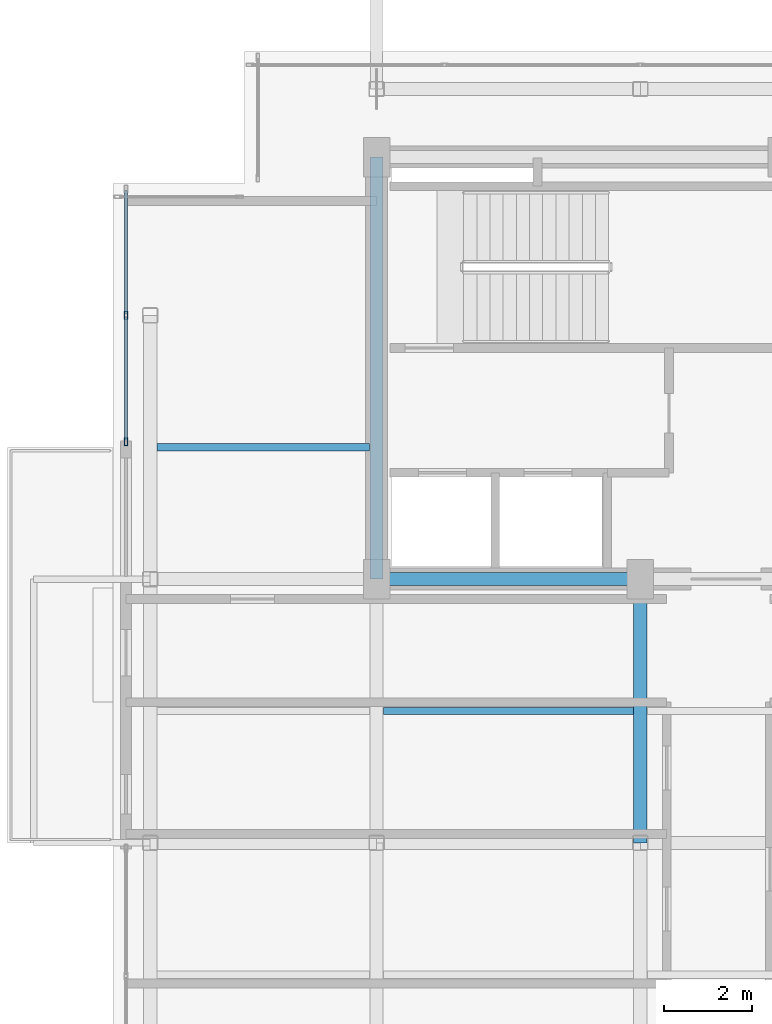
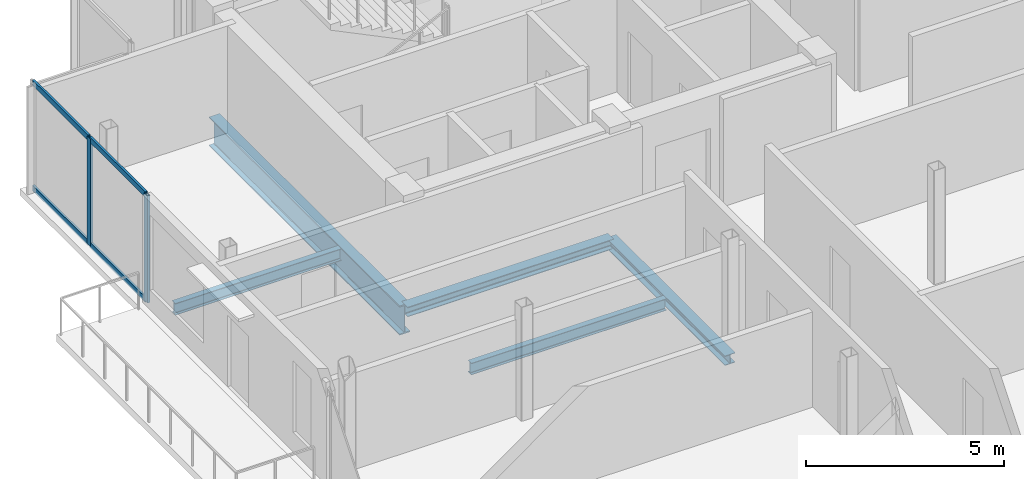
# One storey, part 7 of 18: 6 members, 5 beams, 1 element without a shape of its own.
"""IFC4 building model written with IfcOpenShell, lengths in metres."""

from ifc_helpers import new_model, si_unit, direction, frame, origin, origin_2d, place, context, subcontext, project, spatial, hollow_rectangle, i_section, extrude, material, layer, layer_set, material_profile, profile_set, type_object, element, aggregate, save


model = new_model("IFC4")

# Units and contexts
model_context = context("Model", 3, precision=1e-05, world=origin(), true_north=direction((0.0, 1.0)))
body_context = subcontext(model_context, "Body", "Model", "MODEL_VIEW")
ifc_project = project(units=[si_unit("LENGTHUNIT", "METRE"), si_unit("AREAUNIT", "SQUARE_METRE"), si_unit("VOLUMEUNIT", "CUBIC_METRE"), si_unit("PLANEANGLEUNIT", "RADIAN"), si_unit("MASSUNIT", "GRAM", prefix="KILO"), si_unit("THERMODYNAMICTEMPERATUREUNIT", "KELVIN"), si_unit("POWERUNIT", "WATT")], contexts=[model_context])

# Site, building, storey
site_placement = place(None, origin())
site = spatial("IfcSite", under=ifc_project, at=site_placement, CompositionType="ELEMENT")
building_placement = place(site_placement, origin())
building = spatial("IfcBuilding", under=site, at=building_placement, Name="Svarakhadi Broadcast Tower", CompositionType="ELEMENT")
storey_placement = place(building_placement, frame((0.0, 0.0, 278.199951171875)))
storey = spatial("IfcBuildingStorey", under=building, at=storey_placement, Name="L70", CompositionType="ELEMENT", Elevation=278.199951171875)

# Beams
ifc_material_1 = material(Name="Steel S355J2 (IS 2062 E350C)", Category="steel")
ifc_material_profile_1 = material_profile(ifc_material_1, i_section(OverallWidth=0.169921875, OverallDepth=0.360107421875, WebThickness=0.008056640625, FlangeThickness=0.0126953125, FilletRadius=0.01806640625, at=origin_2d()), Name="NPB 360x170x57")
ifc_profile_set_1 = profile_set([ifc_material_profile_1], Name="Steel S355J2 (IS 2062 E350C)")
beam_type_1 = type_object("IfcBeamType", Name="Beam_NPB360", PredefinedType="BEAM", material=ifc_profile_set_1)
beam_1_placement = place(storey_placement, frame((1.010009765625, 21.0, -0.3798828125), z_axis=(1.0, 0.0, 0.0), x_axis=(0.0, 1.0, 0.0)))
element("IfcBeam", 1, at=beam_1_placement, inside=storey, type_object=beam_type_1, Name="L70 Secondary Composite Beam SB003", PredefinedType="BEAM", context=body_context, shape_type="SweptSolid", body=[
    extrude(i_section(OverallWidth=0.169921875, OverallDepth=0.360107421875, WebThickness=0.008056640625, FlangeThickness=0.0126953125, FilletRadius=0.01806640625, at=origin_2d()), origin(), (0.0, 0.0, 1.0), 4.830078125),
])
beam_2_placement = place(storey_placement, frame((6.159912109375, 15.0, -0.3798828125), z_axis=(1.0, 0.0, 0.0), x_axis=(0.0, 1.0, 0.0)))
element("IfcBeam", 2, at=beam_2_placement, inside=storey, type_object=beam_type_1, Name="L70 Secondary Composite Beam SB006", PredefinedType="BEAM", context=body_context, shape_type="SweptSolid", body=[
    extrude(i_section(OverallWidth=0.169921875, OverallDepth=0.360107421875, WebThickness=0.008056640625, FlangeThickness=0.0126953125, FilletRadius=0.01806640625, at=origin_2d()), origin(), (0.0, 0.0, 1.0), 5.68017578125),
])

# Curtain wall, members
ifc_material_2 = material(Name="Anodised Bronze Aluminium AA 6063-T6", Category="aluminium")
ifc_layer = layer(ifc_material_2, 0.179931640625)
ifc_layer_set = layer_set([ifc_layer], Name="Anodised Bronze Aluminium AA 6063-T6")
curtain_wall_type = type_object("IfcCurtainWallType", Name="CW_Sys_05", PredefinedType="NOTDEFINED", material=ifc_layer_set)
curtain_wall_placement = place(storey_placement, origin())
curtain_wall = element("IfcCurtainWall", 3, at=curtain_wall_placement, inside=storey, type_object=curtain_wall_type, Name="L70 West Curtain Wall 03", PredefinedType="NOTDEFINED")
ifc_material_profile_2 = material_profile(ifc_material_2, hollow_rectangle(XDim=0.070068359375, YDim=0.179931640625, WallThickness=0.005615234375, at=origin_2d()), Name="ALU MULLION 180x70x6")
ifc_profile_set_2 = profile_set([ifc_material_profile_2], Name="Anodised Bronze Aluminium AA 6063-T6")
member_type_1 = type_object("IfcMemberType", Name="CW_Sys_05_Mul", PredefinedType="MULLION", material=ifc_profile_set_2)
member_1_placement = place(storey_placement, frame((0.300048828125, 21.125, 0.0), z_axis=(0.0, 0.0, 1.0), x_axis=(-1.0, 0.0, 0.0)))
member_1 = element("IfcMember", 4, at=member_1_placement, type_object=member_type_1, Name="CW-05 mullion 1", PredefinedType="MULLION", context=body_context, shape_type="SweptSolid", body=[
    extrude(hollow_rectangle(XDim=0.070068359375, YDim=0.179931640625, WallThickness=0.005615234375, at=origin_2d()), origin(), (0.0, 0.0, 1.0), 3.300048828125),
])
member_2_placement = place(storey_placement, frame((0.300048828125, 24.0, 0.0), z_axis=(0.0, 0.0, 1.0), x_axis=(-1.0, 0.0, 0.0)))
member_2 = element("IfcMember", 5, at=member_2_placement, type_object=member_type_1, Name="CW-05 mullion 2", PredefinedType="MULLION", context=body_context, shape_type="SweptSolid", body=[
    extrude(hollow_rectangle(XDim=0.070068359375, YDim=0.179931640625, WallThickness=0.005615234375, at=origin_2d()), origin(), (0.0, 0.0, 1.0), 3.300048828125),
])
ifc_material_profile_3 = material_profile(ifc_material_2, hollow_rectangle(XDim=0.06494140625, YDim=0.1650390625, WallThickness=0.0048828125, at=origin_2d()), Name="ALU TRANSOM 165x65x5")
ifc_profile_set_3 = profile_set([ifc_material_profile_3], Name="Anodised Bronze Aluminium AA 6063-T6")
member_type_2 = type_object("IfcMemberType", Name="CW_Sys_05_Trn", PredefinedType="USERDEFINED", material=ifc_profile_set_3)
member_3_placement = place(storey_placement, frame((0.300048828125, 21.159912109375, 0.032470703125), z_axis=(0.0, 1.0, 0.0), x_axis=(-1.0, 0.0, 0.0)))
member_3 = element("IfcMember", 6, at=member_3_placement, type_object=member_type_2, Name="CW-05 transom 1.1", ObjectType="TRANSOM", PredefinedType="USERDEFINED", context=body_context, shape_type="SweptSolid", body=[
    extrude(hollow_rectangle(XDim=0.06494140625, YDim=0.1650390625, WallThickness=0.0048828125, at=origin_2d()), origin(), (0.0, 0.0, 1.0), 2.80517578125),
])
member_4_placement = place(storey_placement, frame((0.300048828125, 21.159912109375, 3.267578125), z_axis=(0.0, 1.0, 0.0), x_axis=(-1.0, 0.0, 0.0)))
member_4 = element("IfcMember", 7, at=member_4_placement, type_object=member_type_2, Name="CW-05 transom 1.2", ObjectType="TRANSOM", PredefinedType="USERDEFINED", context=body_context, shape_type="SweptSolid", body=[
    extrude(hollow_rectangle(XDim=0.06494140625, YDim=0.1650390625, WallThickness=0.0048828125, at=origin_2d()), origin(), (0.0, 0.0, 1.0), 2.80517578125),
])
member_5_placement = place(storey_placement, frame((0.300048828125, 24.034912109375, 0.032470703125), z_axis=(0.0, 1.0, 0.0), x_axis=(-1.0, 0.0, 0.0)))
member_5 = element("IfcMember", 8, at=member_5_placement, type_object=member_type_2, Name="CW-05 transom 2.1", ObjectType="TRANSOM", PredefinedType="USERDEFINED", context=body_context, shape_type="SweptSolid", body=[
    extrude(hollow_rectangle(XDim=0.06494140625, YDim=0.1650390625, WallThickness=0.0048828125, at=origin_2d()), origin(), (0.0, 0.0, 1.0), 2.80517578125),
])
member_6_placement = place(storey_placement, frame((0.300048828125, 24.034912109375, 3.267578125), z_axis=(0.0, 1.0, 0.0), x_axis=(-1.0, 0.0, 0.0)))
member_6 = element("IfcMember", 9, at=member_6_placement, type_object=member_type_2, Name="CW-05 transom 2.2", ObjectType="TRANSOM", PredefinedType="USERDEFINED", context=body_context, shape_type="SweptSolid", body=[
    extrude(hollow_rectangle(XDim=0.06494140625, YDim=0.1650390625, WallThickness=0.0048828125, at=origin_2d()), origin(), (0.0, 0.0, 1.0), 2.80517578125),
])
aggregate(curtain_wall, [member_1, member_2, member_3, member_4, member_5, member_6])

# Beams
ifc_material_profile_4 = material_profile(ifc_material_1, i_section(OverallWidth=0.300048828125, OverallDepth=0.300048828125, WebThickness=0.010986328125, FlangeThickness=0.01904296875, FilletRadius=0.027099609375, at=origin_2d()), Name="WPB 300x300x117")
ifc_profile_set_4 = profile_set([ifc_material_profile_4], Name="Steel S355J2 (IS 2062 E350C)")
beam_type_2 = type_object("IfcBeamType", Name="Girder_WPB300", PredefinedType="USERDEFINED", material=ifc_profile_set_4)
for number, where, z_axis, x_axis, name in (
    (10, (6.0, 18.0, -0.349853515625), (1.0, 0.0, 0.0), (0.0, 1.0, 0.0), "L70 Primary E-W Girder G018"),
    (11, (12.0, 12.0, -0.349853515625), (0.0, 1.0, 0.0), (-1.0, 0.0, 0.0), "L70 Primary N-S Girder G035"),
):
    element("IfcBeam", number, at=place(storey_placement, frame(where, z_axis=z_axis, x_axis=x_axis)), inside=storey, type_object=beam_type_2, Name=name, ObjectType="GIRDER", PredefinedType="USERDEFINED", context=body_context, shape_type="SweptSolid", body=[
        extrude(i_section(OverallWidth=0.300048828125, OverallDepth=0.300048828125, WebThickness=0.010986328125, FlangeThickness=0.01904296875, FilletRadius=0.027099609375, at=origin_2d()), origin(), (0.0, 0.0, 1.0), 6.0),
    ])
ifc_material_3 = material(Name="Steel S460ML (IS 2062 E450BR)", Category="steel")
ifc_material_profile_5 = material_profile(ifc_material_3, i_section(OverallWidth=0.300048828125, OverallDepth=0.89990234375, WebThickness=0.0185546875, FlangeThickness=0.034912109375, FilletRadius=0.030029296875, at=origin_2d()), Name="WPB 900x300x291")
ifc_profile_set_5 = profile_set([ifc_material_profile_5], Name="Steel S460ML (IS 2062 E450BR)")
beam_type_3 = type_object("IfcBeamType", Name="Girder_WPB900", PredefinedType="USERDEFINED", material=ifc_profile_set_5)
beam_3_placement = place(storey_placement, frame((6.0, 18.0, -0.64990234375), z_axis=(0.0, 1.0, 0.0), x_axis=(-1.0, 0.0, 0.0)))
element("IfcBeam", 12, at=beam_3_placement, inside=storey, type_object=beam_type_3, Name="L70 Primary N-S Girder G032", ObjectType="GIRDER", PredefinedType="USERDEFINED", context=body_context, shape_type="SweptSolid", body=[
    extrude(i_section(OverallWidth=0.300048828125, OverallDepth=0.89990234375, WebThickness=0.0185546875, FlangeThickness=0.034912109375, FilletRadius=0.030029296875, at=origin_2d()), origin(), (0.0, 0.0, 1.0), 9.60009765625),
])

save(model, "model.ifc")
